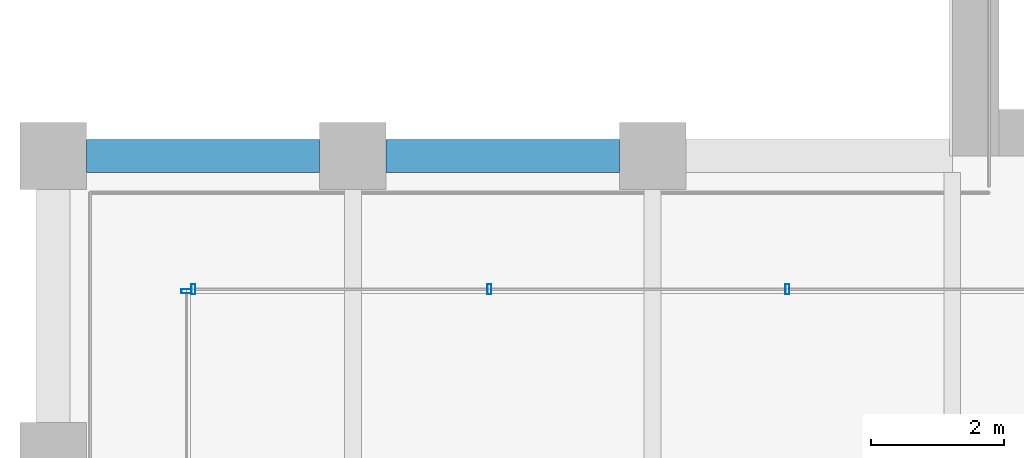
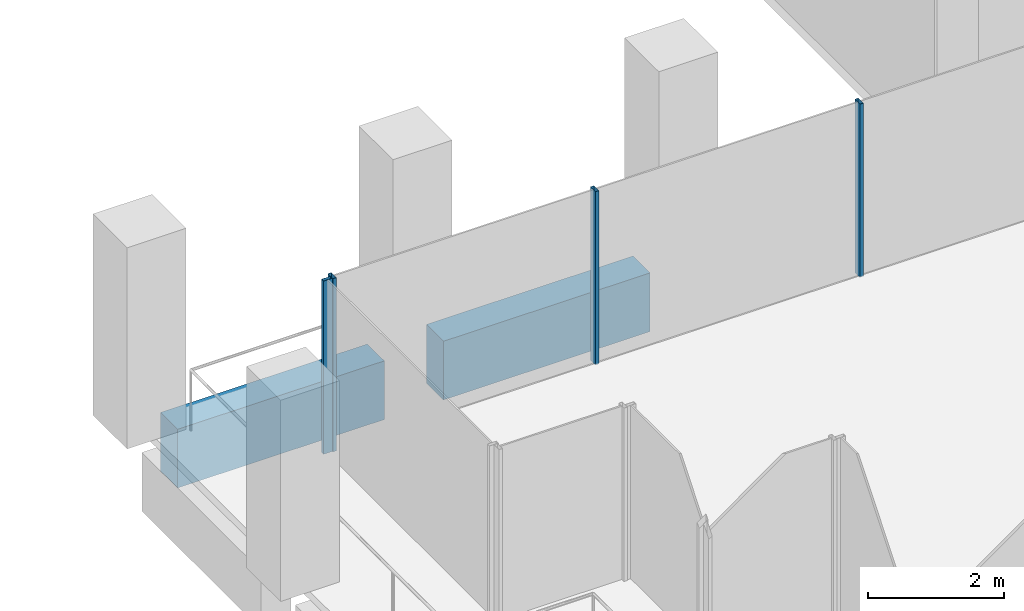
# One storey, part 5 of 46: 4 members, 2 beams, 2 elements without a shape of their own.
"""IFC4 building model written with IfcOpenShell, lengths in metres."""

from ifc_helpers import new_model, si_unit, direction, frame, origin, origin_2d, place, context, subcontext, project, spatial, rectangle, hollow_rectangle, extrude, material, material_profile, profile_set, type_object, element, aggregate, save


model = new_model("IFC4")

# Units and contexts
model_context = context("Model", 3, precision=1e-05, world=origin(), true_north=direction((0.0, 1.0)))
body_context = subcontext(model_context, "Body", "Model", "MODEL_VIEW")
ifc_project = project(units=[si_unit("LENGTHUNIT", "METRE"), si_unit("AREAUNIT", "SQUARE_METRE"), si_unit("VOLUMEUNIT", "CUBIC_METRE"), si_unit("PLANEANGLEUNIT", "RADIAN"), si_unit("MASSUNIT", "GRAM", prefix="KILO")], contexts=[model_context])

# Site, building, storey
site_placement = place(None, origin())
site = spatial("IfcSite", under=ifc_project, at=site_placement, CompositionType="ELEMENT")
building_placement = place(site_placement, origin())
building = spatial("IfcBuilding", under=site, at=building_placement, Name="Altepetl Exchange Towers", CompositionType="ELEMENT")
storey_placement = place(building_placement, frame((0.0, 0.0, 128.0)))
storey = spatial("IfcBuildingStorey", under=building, at=storey_placement, Name="L31", CompositionType="ELEMENT", Elevation=128.0)

# Curtain wall, members
ifc_material_1 = material(Name="Aluminium 6063-T6 glazing", Category="aluminium")
curtain_wall_type = type_object("IfcCurtainWallType", Name="Loggia glazing system", PredefinedType="NOTDEFINED", material=ifc_material_1)
curtain_wall_1_placement = place(storey_placement, origin())
curtain_wall_1 = element("IfcCurtainWall", 1, at=curtain_wall_1_placement, inside=storey, type_object=curtain_wall_type, Name="CW1 run", PredefinedType="NOTDEFINED")
ifc_material_2 = material(Name="Aluminium 6063-T6", Category="aluminium")
ifc_material_profile_1 = material_profile(ifc_material_2, hollow_rectangle(XDim=0.06005859375, YDim=0.14990234375, WallThickness=0.0029296875, at=origin_2d()), Name="Mullion 60x150 aluminium")
ifc_profile_set_1 = profile_set([ifc_material_profile_1], Name="Aluminium 6063-T6")
member_type = type_object("IfcMemberType", Name="Mullion 60x150 aluminium", PredefinedType="MULLION", material=ifc_profile_set_1)
member_1_placement = place(storey_placement, frame((38.02490234375, 38.5, 0.0), z_axis=(0.0, 0.0, 1.0), x_axis=(-1.0, 0.0, 0.0)))
member_1 = element("IfcMember", 2, at=member_1_placement, type_object=member_type, Name="MU1 mullion", PredefinedType="MULLION", context=body_context, shape_type="SweptSolid", body=[
    extrude(hollow_rectangle(XDim=0.06005859375, YDim=0.14990234375, WallThickness=0.0029296875, at=origin_2d()), origin(), (0.0, 0.0, 1.0), 3.10009765625),
])
member_2_placement = place(storey_placement, frame((33.550048828125, 38.5, 0.0), z_axis=(0.0, 0.0, 1.0), x_axis=(-1.0, 0.0, 0.0)))
member_2 = element("IfcMember", 3, at=member_2_placement, type_object=member_type, Name="MU1 mullion", PredefinedType="MULLION", context=body_context, shape_type="SweptSolid", body=[
    extrude(hollow_rectangle(XDim=0.06005859375, YDim=0.14990234375, WallThickness=0.0029296875, at=origin_2d()), origin(), (0.0, 0.0, 1.0), 3.10009765625),
])
member_3_placement = place(storey_placement, frame((29.10498046875, 38.5, 0.0), z_axis=(0.0, 0.0, 1.0), x_axis=(-1.0, 0.0, 0.0)))
member_3 = element("IfcMember", 4, at=member_3_placement, type_object=member_type, Name="MU1 mullion", PredefinedType="MULLION", context=body_context, shape_type="SweptSolid", body=[
    extrude(hollow_rectangle(XDim=0.06005859375, YDim=0.14990234375, WallThickness=0.0029296875, at=origin_2d()), origin(), (0.0, 0.0, 1.0), 3.10009765625),
])
aggregate(curtain_wall_1, [member_1, member_2, member_3])

# Curtain wall, member
curtain_wall_2_placement = place(storey_placement, origin())
curtain_wall_2 = element("IfcCurtainWall", 5, at=curtain_wall_2_placement, inside=storey, type_object=curtain_wall_type, Name="CW1 run", PredefinedType="NOTDEFINED")
member_4_placement = place(storey_placement, frame((29.0, 38.469970703125, 0.0), z_axis=(0.0, 0.0, 1.0), x_axis=(0.0, -1.0, 0.0)))
member_4 = element("IfcMember", 6, at=member_4_placement, type_object=member_type, Name="MU1 mullion", PredefinedType="MULLION", context=body_context, shape_type="SweptSolid", body=[
    extrude(hollow_rectangle(XDim=0.06005859375, YDim=0.14990234375, WallThickness=0.0029296875, at=origin_2d()), origin(), (0.0, 0.0, 1.0), 3.10009765625),
])
aggregate(curtain_wall_2, [member_4])

# Beams
ifc_material_3 = material(Name="Concrete C50/60 precast with tezontle facing", Category="concrete")
ifc_material_profile_2 = material_profile(ifc_material_3, rectangle(XDim=0.5, YDim=1.050048828125, at=origin_2d()), Name="500 x 1050")
ifc_profile_set_2 = profile_set([ifc_material_profile_2], Name="Concrete C50/60 precast with tezontle facing")
beam_type = type_object("IfcBeamType", Name="Spandrel beam 500x1050 tezontle", PredefinedType="SPANDREL", material=ifc_profile_set_2)
for number, where, z_axis, x_axis, name in (
    (7, (35.5, 40.5, -0.675048828125), (-1.0, 0.0, 0.0), (0.0, -1.0, 0.0), "sp:A:L31:034"),
    (8, (31.0, 40.5, -0.675048828125), (-1.0, 0.0, 0.0), (0.0, -1.0, 0.0), "sp:A:L31:035"),
):
    element("IfcBeam", number, at=place(storey_placement, frame(where, z_axis=z_axis, x_axis=x_axis)), inside=storey, type_object=beam_type, Name=name, PredefinedType="SPANDREL", context=body_context, shape_type="SweptSolid", body=[
        extrude(rectangle(XDim=0.5, YDim=1.050048828125, at=origin_2d()), origin(), (0.0, 0.0, 1.0), 3.5),
    ])

save(model, "model.ifc")
